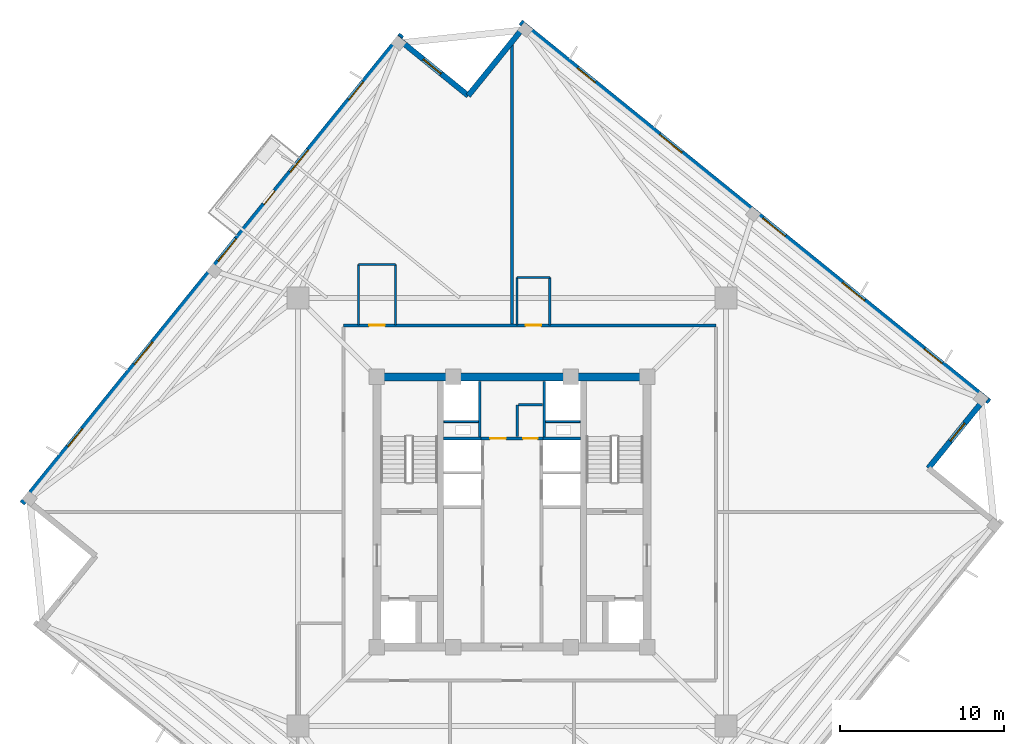
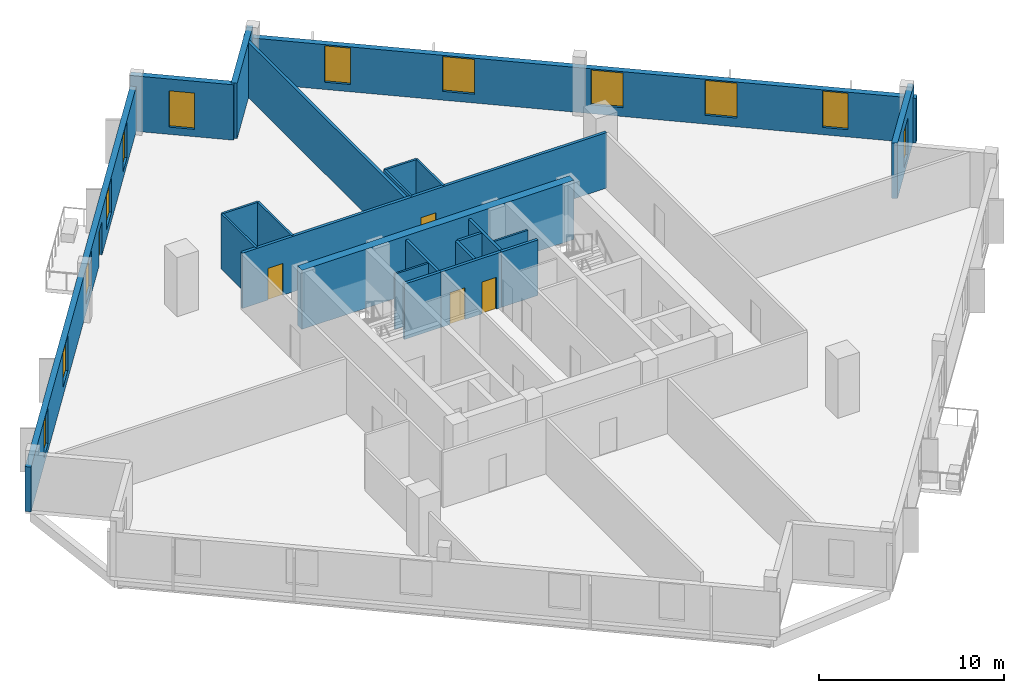
# One storey, part 4 of 9: 23 walls, 12 windows, 5 doors, 17 openings.
"""IFC4 building model written with IfcOpenShell, lengths in metres."""

from ifc_helpers import new_model, si_unit, direction, frame, frame_2d, origin, place, context, subcontext, project, spatial, rectangle, extrude, source, transform, mapped, material, layer, layer_set, type_object, element, fill, save


model = new_model("IFC4")

# Units and contexts
model_context = context("Model", 3, precision=1e-05, world=origin(), true_north=direction((0.0, 1.0)))
body_context = subcontext(model_context, "Body", "Model", "MODEL_VIEW")
ifc_project = project(units=[si_unit("LENGTHUNIT", "METRE"), si_unit("AREAUNIT", "SQUARE_METRE"), si_unit("VOLUMEUNIT", "CUBIC_METRE"), si_unit("PLANEANGLEUNIT", "RADIAN"), si_unit("MASSUNIT", "GRAM", prefix="KILO"), si_unit("THERMODYNAMICTEMPERATUREUNIT", "KELVIN")], contexts=[model_context])

# Site, building, storey
site_placement = place(None, origin())
site = spatial("IfcSite", under=ifc_project, at=site_placement, CompositionType="ELEMENT")
building_placement = place(site_placement, origin())
building = spatial("IfcBuilding", under=site, at=building_placement, Name="Kosmvard Interchange Tower", CompositionType="ELEMENT")
storey_placement = place(building_placement, frame((0.0, 0.0, 248.5)))
storey = spatial("IfcBuildingStorey", under=building, at=storey_placement, Name="L60", CompositionType="ELEMENT", Elevation=248.5)

# Walls
ifc_material_1 = material(Name="Fire-rated gypsum partition system")
ifc_layer_1 = layer(ifc_material_1, 0.159912109375, Name="Fire-rated gypsum partition system")
ifc_layer_set_1 = layer_set([ifc_layer_1], Name="Fire-rated gypsum partition system")
wall_type_1 = type_object("IfcWallType", Name="Core Compartment & Shuttle Lobby Partition 160", PredefinedType="PARTITIONING", material=ifc_layer_set_1)
for number, where, z_axis, x_axis, name in (
    (1, (-1.9599609375, 4.580078125, 0.0), (0.0, 0.0, 1.0), (0.0, 1.0, 0.0), "L60 North Core West Wall"),
    (2, (1.9599609375, 4.580078125, 0.0), (0.0, 0.0, 1.0), (0.0, 1.0, 0.0), "L60 North Core East Wall"),
):
    element("IfcWall", number, at=place(storey_placement, frame(where, z_axis=z_axis, x_axis=x_axis)), inside=storey, type_object=wall_type_1, Name=name, PredefinedType="PARTITIONING", context=body_context, shape_type="SweptSolid", body=[
        extrude(rectangle(XDim=3.39990234375, YDim=0.159912109375, at=frame_2d((1.699951171875, 0.0))), origin(), (0.0, 0.0, 1.0), 3.659912109375),
    ])
ifc_material_2 = material(Name="Concrete blockwork masonry", Category="masonry")
ifc_layer_2 = layer(ifc_material_2, 0.159912109375, Name="Concrete blockwork masonry")
ifc_layer_set_2 = layer_set([ifc_layer_2], Name="Concrete blockwork masonry")
wall_type_2 = type_object("IfcWallType", Name="Core Enclosure Split Wall 160", PredefinedType="PARTITIONING", material=ifc_layer_set_2)
wall_1_placement = place(storey_placement, frame((0.320068359375, 4.60009765625, 0.0), z_axis=(0.0, 0.0, 1.0), x_axis=(0.0, 1.0, 0.0)))
element("IfcWall", 3, at=wall_1_placement, inside=storey, type_object=wall_type_2, Name="L60 Core K3 L-Wall 1", PredefinedType="PARTITIONING", context=body_context, shape_type="SweptSolid", body=[
    extrude(rectangle(XDim=1.949951171875, YDim=0.159912109375, at=frame_2d((0.97509765625, 0.0))), origin(), (0.0, 0.0, 1.0), 3.659912109375),
])
wall_2_placement = place(storey_placement, frame((0.39990234375, 6.550048828125, 0.0), z_axis=(0.0, 0.0, 1.0), x_axis=(1.0, 0.0, 0.0)))
element("IfcWall", 4, at=wall_2_placement, inside=storey, type_object=wall_type_2, Name="L60 Core K3 L-Wall 2", PredefinedType="PARTITIONING", context=body_context, shape_type="SweptSolid", body=[
    extrude(rectangle(XDim=1.460205078125, YDim=0.159912109375, at=frame_2d((0.72998046875, 0.0))), origin(), (0.0, 0.0, 1.0), 3.659912109375),
])

# Wall, openings, doors
ifc_layer_3 = layer(ifc_material_1, 0.179931640625, Name="Fire-rated gypsum partition system")
ifc_layer_set_3 = layer_set([ifc_layer_3], Name="Fire-rated gypsum partition system")
wall_type_3 = type_object("IfcWallType", Name="Corridor & Hotel Compartment Partition 180", PredefinedType="PARTITIONING", material=ifc_layer_set_3)
wall_3_placement = place(storey_placement, frame((-1.8798828125, 4.489990234375, 0.0), z_axis=(0.0, 0.0, 1.0), x_axis=(1.0, 0.0, 0.0)))
wall_3 = element("IfcWall", 5, at=wall_3_placement, inside=storey, type_object=wall_type_3, Name="L60 Lift Lobby North Partition", PredefinedType="PARTITIONING", context=body_context, shape_type="SweptSolid", body=[
    extrude(rectangle(XDim=3.759765625, YDim=0.179931640625, at=frame_2d((1.8798828125, 0.0))), origin(), (0.0, 0.0, 1.0), 3.659912109375),
])
opening_1_placement = place(wall_3_placement, frame((0.550048828125, 0.0, 0.0)))
opening_1 = element("IfcOpeningElement", 6, at=opening_1_placement, cuts=wall_3, Name="Opening L60-KD1", PredefinedType="OPENING", context=body_context, shape_type="SweptSolid", body=[
    extrude(rectangle(XDim=0.949951171875, YDim=2.10009765625, at=frame_2d((0.47509765625, 1.050048828125))), frame((0.0, 0.10009765625, 0.0), z_axis=(0.0, -1.0, 0.0), x_axis=(1.0, 0.0, 0.0)), (0.0, 0.0, 1.0), 0.199951171875),
])
opening_2_placement = place(wall_3_placement, frame((2.56005859375, 0.0, 0.0)))
opening_2 = element("IfcOpeningElement", 7, at=opening_2_placement, cuts=wall_3, Name="Opening L60-KD2", PredefinedType="OPENING", context=body_context, shape_type="SweptSolid", body=[
    extrude(rectangle(XDim=0.8798828125, YDim=2.10009765625, at=frame_2d((0.43994140625, 1.050048828125))), frame((0.0, 0.10009765625, 0.0), z_axis=(0.0, -1.0, 0.0), x_axis=(1.0, 0.0, 0.0)), (0.0, 0.0, 1.0), 0.199951171875),
])
ifc_material_3 = material(Name="Painted fire-rated timber leaf", Category="wood")
door_type_1 = type_object("IfcDoorType", Name="Core Service Fire Door 950x2100 EI30", OperationType="NOTDEFINED", PredefinedType="DOOR", material=ifc_material_3)
shared_shape_1 = source(origin(), body_context, "Body", "SweptSolid", [
    extrude(rectangle(XDim=0.949951171875, YDim=2.10009765625, at=frame_2d((0.47509765625, 1.050048828125))), frame((0.0, 0.02490234375, 0.0), z_axis=(0.0, -1.0, 0.0), x_axis=(1.0, 0.0, 0.0)), (0.0, 0.0, 1.0), 0.050048828125),
])
door_1_placement = place(opening_1_placement, origin())
door_1 = element("IfcDoor", 8, at=door_1_placement, inside=storey, type_object=door_type_1, Name="L60 Core Archive Store Door", OperationType="SINGLE_SWING_LEFT", OverallHeight=2.10009765625, OverallWidth=0.949951171875, PredefinedType="DOOR", context=body_context, shape_type="MappedRepresentation", body=[
    mapped(shared_shape_1, transform((0.0, 0.0, 0.0), scale=1.0)),
])
fill(opening_1, door_1)
door_type_2 = type_object("IfcDoorType", Name="Core Cupboard Fire Door 880x2100 EI30", OperationType="NOTDEFINED", PredefinedType="DOOR", material=ifc_material_3)
shared_shape_2 = source(origin(), body_context, "Body", "SweptSolid", [
    extrude(rectangle(XDim=0.8798828125, YDim=2.10009765625, at=frame_2d((0.43994140625, 1.050048828125))), frame((0.0, 0.02490234375, 0.0), z_axis=(0.0, -1.0, 0.0), x_axis=(1.0, 0.0, 0.0)), (0.0, 0.0, 1.0), 0.050048828125),
])
door_2_placement = place(opening_2_placement, origin())
door_2 = element("IfcDoor", 9, at=door_2_placement, inside=storey, type_object=door_type_2, Name="L60 Core Supplies Cupboard Door", OperationType="SINGLE_SWING_RIGHT", OverallHeight=2.10009765625, OverallWidth=0.8798828125, PredefinedType="DOOR", context=body_context, shape_type="MappedRepresentation", body=[
    mapped(shared_shape_2, transform((0.0, 0.0, 0.0), scale=1.0)),
])
fill(opening_2, door_2)

wall_4_placement = place(storey_placement, frame((-10.300048828125, 11.39990234375, 0.0), z_axis=(0.0, 0.0, 1.0), x_axis=(1.0, 0.0, 0.0)))
wall_4 = element("IfcWall", 10, at=wall_4_placement, inside=storey, type_object=wall_type_3, Name="L60 Corridor Wall CN", PredefinedType="PARTITIONING", context=body_context, shape_type="SweptSolid", body=[
    extrude(rectangle(XDim=22.75, YDim=0.179931640625, at=frame_2d((11.375, 0.0))), origin(), (0.0, 0.0, 1.0), 3.659912109375),
])
opening_3_placement = place(wall_4_placement, frame((11.135986328125, 0.0, 0.0)))
opening_3 = element("IfcOpeningElement", 11, at=opening_3_placement, cuts=wall_4, Name="Opening L60-D01", PredefinedType="OPENING", context=body_context, shape_type="SweptSolid", body=[
    extrude(rectangle(XDim=0.949951171875, YDim=2.10009765625, at=frame_2d((0.47509765625, 1.050048828125))), frame((0.0, 0.10009765625, 0.0), z_axis=(0.0, -1.0, 0.0), x_axis=(1.0, 0.0, 0.0)), (0.0, 0.0, 1.0), 0.199951171875),
])
opening_4_placement = place(wall_4_placement, frame((1.580078125, 0.0, 0.0)))
opening_4 = element("IfcOpeningElement", 12, at=opening_4_placement, cuts=wall_4, Name="Opening L60-D02", PredefinedType="OPENING", context=body_context, shape_type="SweptSolid", body=[
    extrude(rectangle(XDim=0.949951171875, YDim=2.10009765625, at=frame_2d((0.47509765625, 1.050048828125))), frame((0.0, 0.10009765625, 0.0), z_axis=(0.0, -1.0, 0.0), x_axis=(1.0, 0.0, 0.0)), (0.0, 0.0, 1.0), 0.199951171875),
])
ifc_material_4 = material(Name="Laminated moisture-resistant timber", Category="wood")
door_type_3 = type_object("IfcDoorType", Name="Accessible Washroom Door 950x2100", OperationType="NOTDEFINED", PredefinedType="DOOR", material=ifc_material_4)
door_3_placement = place(opening_3_placement, origin())
door_3 = element("IfcDoor", 13, at=door_3_placement, inside=storey, type_object=door_type_3, Name="L60 Accessible Toilet Door", OperationType="SINGLE_SWING_LEFT", OverallHeight=2.10009765625, OverallWidth=0.949951171875, PredefinedType="DOOR", context=body_context, shape_type="MappedRepresentation", body=[
    mapped(shared_shape_1, transform((0.0, 0.0, 0.0), scale=1.0)),
])
fill(opening_3, door_3)
door_4_placement = place(opening_4_placement, origin())
door_4 = element("IfcDoor", 14, at=door_4_placement, inside=storey, type_object=door_type_3, Name="L60 Public Floor Washroom Door", OperationType="SINGLE_SWING_RIGHT", OverallHeight=2.10009765625, OverallWidth=0.949951171875, PredefinedType="DOOR", context=body_context, shape_type="MappedRepresentation", body=[
    mapped(shared_shape_1, transform((0.0, 0.0, 0.0), scale=1.0)),
])
fill(opening_4, door_4)

# Wall
wall_5_placement = place(storey_placement, frame((0.0, 11.4951171875, 0.0), z_axis=(0.0, 0.0, 1.0), x_axis=(0.0, 1.0, 0.0)))
element("IfcWall", 15, at=wall_5_placement, inside=storey, type_object=wall_type_3, Name="L60 Room Partition 01.1", PredefinedType="PARTITIONING", context=body_context, shape_type="SweptSolid", body=[
    extrude(rectangle(XDim=17.0673828125, YDim=0.179931640625, at=frame_2d((8.53369140625, 0.0))), origin(), (0.0, 0.0, 1.0), 3.659912109375),
])

# Wall, opening, window
ifc_material_5 = material(Name="Precast concrete C45/55", Category="concrete")
ifc_layer_4 = layer(ifc_material_5, 0.340087890625, Name="Precast concrete C45/55")
ifc_layer_set_4 = layer_set([ifc_layer_4], Name="Precast concrete C45/55")
wall_type_4 = type_object("IfcWallType", Name="Mid Tower Precast Pier Wall 340 C45/55", PredefinedType="STANDARD", material=ifc_layer_set_4)
wall_6_placement = place(storey_placement, frame((25.428955078125, 2.672607421875, 0.0), z_axis=(0.0, 0.0, 1.0), x_axis=(0.629299794138, 0.777162640055, 0.0)))
wall_6 = element("IfcWall", 16, at=wall_6_placement, inside=storey, type_object=wall_type_4, Name="L60 Precast Facade Wall N-SE2", PredefinedType="STANDARD", context=body_context, shape_type="SweptSolid", body=[
    extrude(rectangle(XDim=5.669921875, YDim=0.340087890625, at=frame_2d((2.8349609375, 0.0))), origin(), (0.0, 0.0, 1.0), 3.659912109375),
])
opening_5_placement = place(wall_6_placement, frame((2.135009765625, 0.0, 0.47998046875)))
opening_5 = element("IfcOpeningElement", 17, at=opening_5_placement, cuts=wall_6, Name="Opening L60-W21", PredefinedType="OPENING", context=body_context, shape_type="SweptSolid", body=[
    extrude(rectangle(XDim=1.39990234375, YDim=2.39990234375, at=frame_2d((0.699951171875, 1.199951171875))), frame((0.0, 0.18017578125, 0.0), z_axis=(0.0, -1.0, 0.0), x_axis=(1.0, 0.0, 0.0)), (0.0, 0.0, 1.0), 0.360107421875),
])
ifc_material_6 = material(Name="Low-E solar-control double glazing", Category="glass")
window_type_1 = type_object("IfcWindowType", Name="Notched Corner Feature Window 1400x2400", PartitioningType="SINGLE_PANEL", PredefinedType="WINDOW", material=ifc_material_6)
shared_shape_3 = source(origin(), body_context, "Body", "SweptSolid", [
    extrude(rectangle(XDim=1.39990234375, YDim=2.39990234375, at=frame_2d((0.699951171875, 1.199951171875))), frame((0.0, 0.030029296875, 0.0), z_axis=(0.0, -1.0, 0.0), x_axis=(1.0, 0.0, 0.0)), (0.0, 0.0, 1.0), 0.06005859375),
])
window_1_placement = place(opening_5_placement, origin())
window_1 = element("IfcWindow", 18, at=window_1_placement, inside=storey, type_object=window_type_1, Name="L60 Corner Notch Window 21", OverallHeight=2.39990234375, OverallWidth=1.39990234375, PartitioningType="SINGLE_PANEL", PredefinedType="WINDOW", context=body_context, shape_type="MappedRepresentation", body=[
    mapped(shared_shape_3, transform((0.0, 0.0, 0.0), scale=1.0)),
])
fill(opening_5, window_1)

# Wall, openings, windows
wall_7_placement = place(storey_placement, frame((29.154296875, 6.73291015625, 0.0), z_axis=(0.0, 0.0, 1.0), x_axis=(-0.77714192302, 0.629325378072, 0.0)))
wall_7 = element("IfcWall", 19, at=wall_7_placement, inside=storey, type_object=wall_type_4, Name="L60 Precast Facade Wall F-E", PredefinedType="STANDARD", context=body_context, shape_type="SweptSolid", body=[
    extrude(rectangle(XDim=36.840087890625, YDim=0.340087890625, at=frame_2d((18.419921875, 0.0))), origin(), (0.0, 0.0, 1.0), 2.9599609375),
])
opening_6_placement = place(wall_7_placement, frame((3.720703125, 0.0, 0.47998046875)))
opening_6 = element("IfcOpeningElement", 20, at=opening_6_placement, cuts=wall_7, Name="Opening L60-W06", PredefinedType="OPENING", context=body_context, shape_type="SweptSolid", body=[
    extrude(rectangle(XDim=1.39990234375, YDim=2.39990234375, at=frame_2d((0.699951171875, 1.199951171875))), frame((0.0, 0.18017578125, 0.0), z_axis=(0.0, -1.0, 0.0), x_axis=(1.0, 0.0, 0.0)), (0.0, 0.0, 1.0), 0.360107421875),
])
opening_7_placement = place(wall_7_placement, frame((9.80859375, 0.0, 0.580078125)))
opening_7 = element("IfcOpeningElement", 21, at=opening_7_placement, cuts=wall_7, Name="Opening L60-W07", PredefinedType="OPENING", context=body_context, shape_type="SweptSolid", body=[
    extrude(rectangle(XDim=1.75, YDim=2.300048828125, at=frame_2d((0.875, 1.14990234375))), frame((0.0, 0.18017578125, 0.0), z_axis=(0.0, -1.0, 0.0), x_axis=(1.0, 0.0, 0.0)), (0.0, 0.0, 1.0), 0.360107421875),
])
opening_8_placement = place(wall_7_placement, frame((16.05810546875, 0.0, 0.580078125)))
opening_8 = element("IfcOpeningElement", 22, at=opening_8_placement, cuts=wall_7, Name="Opening L60-W08", PredefinedType="OPENING", context=body_context, shape_type="SweptSolid", body=[
    extrude(rectangle(XDim=1.75, YDim=2.300048828125, at=frame_2d((0.875, 1.14990234375))), frame((0.0, 0.18017578125, 0.0), z_axis=(0.0, -1.0, 0.0), x_axis=(1.0, 0.0, 0.0)), (0.0, 0.0, 1.0), 0.360107421875),
])
opening_9_placement = place(wall_7_placement, frame((24.17626953125, 0.0, 0.580078125)))
opening_9 = element("IfcOpeningElement", 23, at=opening_9_placement, cuts=wall_7, Name="Opening L60-W09", PredefinedType="OPENING", context=body_context, shape_type="SweptSolid", body=[
    extrude(rectangle(XDim=1.75, YDim=2.300048828125, at=frame_2d((0.875, 1.14990234375))), frame((0.0, 0.18017578125, 0.0), z_axis=(0.0, -1.0, 0.0), x_axis=(1.0, 0.0, 0.0)), (0.0, 0.0, 1.0), 0.360107421875),
])
opening_10_placement = place(wall_7_placement, frame((30.982421875, 0.0, 0.47998046875)))
opening_10 = element("IfcOpeningElement", 24, at=opening_10_placement, cuts=wall_7, Name="Opening L60-W10", PredefinedType="OPENING", context=body_context, shape_type="SweptSolid", body=[
    extrude(rectangle(XDim=1.39990234375, YDim=2.39990234375, at=frame_2d((0.699951171875, 1.199951171875))), frame((0.0, 0.18017578125, 0.0), z_axis=(0.0, -1.0, 0.0), x_axis=(1.0, 0.0, 0.0)), (0.0, 0.0, 1.0), 0.360107421875),
])
window_2_placement = place(opening_6_placement, origin())
window_2 = element("IfcWindow", 25, at=window_2_placement, inside=storey, type_object=window_type_1, Name="L60 Facade Punched Window 06", OverallHeight=2.39990234375, OverallWidth=1.39990234375, PartitioningType="SINGLE_PANEL", PredefinedType="WINDOW", context=body_context, shape_type="MappedRepresentation", body=[
    mapped(shared_shape_3, transform((0.0, 0.0, 0.0), scale=1.0)),
])
fill(opening_6, window_2)
window_3_placement = place(opening_10_placement, origin())
window_3 = element("IfcWindow", 26, at=window_3_placement, inside=storey, type_object=window_type_1, Name="L60 Facade Punched Window 10", OverallHeight=2.39990234375, OverallWidth=1.39990234375, PartitioningType="SINGLE_PANEL", PredefinedType="WINDOW", context=body_context, shape_type="MappedRepresentation", body=[
    mapped(shared_shape_3, transform((0.0, 0.0, 0.0), scale=1.0)),
])
fill(opening_10, window_3)
window_type_2 = type_object("IfcWindowType", Name="Zone 4 Suite Punched Window 1750x2300", PartitioningType="SINGLE_PANEL", PredefinedType="WINDOW", material=ifc_material_6)
shared_shape_4 = source(origin(), body_context, "Body", "SweptSolid", [
    extrude(rectangle(XDim=1.75, YDim=2.300048828125, at=frame_2d((0.875, 1.14990234375))), frame((0.0, 0.030029296875, 0.0), z_axis=(0.0, -1.0, 0.0), x_axis=(1.0, 0.0, 0.0)), (0.0, 0.0, 1.0), 0.06005859375),
])
window_4_placement = place(opening_7_placement, origin())
window_4 = element("IfcWindow", 27, at=window_4_placement, inside=storey, type_object=window_type_2, Name="L60 Facade Punched Window 07", OverallHeight=2.300048828125, OverallWidth=1.75, PartitioningType="SINGLE_PANEL", PredefinedType="WINDOW", context=body_context, shape_type="MappedRepresentation", body=[
    mapped(shared_shape_4, transform((0.0, 0.0, 0.0), scale=1.0)),
])
fill(opening_7, window_4)
window_5_placement = place(opening_8_placement, origin())
window_5 = element("IfcWindow", 28, at=window_5_placement, inside=storey, type_object=window_type_2, Name="L60 Facade Punched Window 08", OverallHeight=2.300048828125, OverallWidth=1.75, PartitioningType="SINGLE_PANEL", PredefinedType="WINDOW", context=body_context, shape_type="MappedRepresentation", body=[
    mapped(shared_shape_4, transform((0.0, 0.0, 0.0), scale=1.0)),
])
fill(opening_8, window_5)
window_6_placement = place(opening_9_placement, origin())
window_6 = element("IfcWindow", 29, at=window_6_placement, inside=storey, type_object=window_type_2, Name="L60 Facade Punched Window 09", OverallHeight=2.300048828125, OverallWidth=1.75, PartitioningType="SINGLE_PANEL", PredefinedType="WINDOW", context=body_context, shape_type="MappedRepresentation", body=[
    mapped(shared_shape_4, transform((0.0, 0.0, 0.0), scale=1.0)),
])
fill(opening_9, window_6)

# Wall
wall_8_placement = place(storey_placement, frame((0.78857421875, 29.703125, 0.0), z_axis=(0.0, 0.0, 1.0), x_axis=(-0.629323365087, -0.77714355312, 0.0)))
element("IfcWall", 30, at=wall_8_placement, inside=storey, type_object=wall_type_4, Name="L60 Precast Facade Wall N-NE1", PredefinedType="STANDARD", context=body_context, shape_type="SweptSolid", body=[
    extrude(rectangle(XDim=5.499755859375, YDim=0.340087890625, at=frame_2d((2.75, 0.0))), origin(), (0.0, 0.0, 1.0), 3.659912109375),
])

# Wall, opening, window
wall_9_placement = place(storey_placement, frame((-2.672607421875, 25.428955078125, 0.0), z_axis=(0.0, 0.0, 1.0), x_axis=(-0.777162640055, 0.629299794138, 0.0)))
wall_9 = element("IfcWall", 31, at=wall_9_placement, inside=storey, type_object=wall_type_4, Name="L60 Precast Facade Wall N-NE2", PredefinedType="STANDARD", context=body_context, shape_type="SweptSolid", body=[
    extrude(rectangle(XDim=5.669921875, YDim=0.340087890625, at=frame_2d((2.8349609375, 0.0))), origin(), (0.0, 0.0, 1.0), 3.659912109375),
])
opening_11_placement = place(wall_9_placement, frame((2.135009765625, 0.0, 0.47998046875)))
opening_11 = element("IfcOpeningElement", 32, at=opening_11_placement, cuts=wall_9, Name="Opening L60-W22", PredefinedType="OPENING", context=body_context, shape_type="SweptSolid", body=[
    extrude(rectangle(XDim=1.39990234375, YDim=2.39990234375, at=frame_2d((0.699951171875, 1.199951171875))), frame((0.0, 0.18017578125, 0.0), z_axis=(0.0, -1.0, 0.0), x_axis=(1.0, 0.0, 0.0)), (0.0, 0.0, 1.0), 0.360107421875),
])
window_7_placement = place(opening_11_placement, origin())
window_7 = element("IfcWindow", 33, at=window_7_placement, inside=storey, type_object=window_type_1, Name="L60 Corner Notch Window 22", OverallHeight=2.39990234375, OverallWidth=1.39990234375, PartitioningType="SINGLE_PANEL", PredefinedType="WINDOW", context=body_context, shape_type="MappedRepresentation", body=[
    mapped(shared_shape_3, transform((0.0, 0.0, 0.0), scale=1.0)),
])
fill(opening_11, window_7)

# Wall, openings, door, windows
wall_10_placement = place(storey_placement, frame((-6.73291015625, 29.154296875, 0.0), z_axis=(0.0, 0.0, 1.0), x_axis=(-0.629325378072, -0.77714192302, 0.0)))
wall_10 = element("IfcWall", 34, at=wall_10_placement, inside=storey, type_object=wall_type_4, Name="L60 Precast Facade Wall F-N", PredefinedType="STANDARD", context=body_context, shape_type="SweptSolid", body=[
    extrude(rectangle(XDim=36.840087890625, YDim=0.340087890625, at=frame_2d((18.419921875, 0.0))), origin(), (0.0, 0.0, 1.0), 2.9599609375),
])
opening_12_placement = place(wall_10_placement, frame((12.294921875, 0.0, 0.0)))
opening_12 = element("IfcOpeningElement", 35, at=opening_12_placement, cuts=wall_10, Name="Opening L60-BDN", PredefinedType="OPENING", context=body_context, shape_type="SweptSolid", body=[
    extrude(rectangle(XDim=1.050048828125, YDim=2.25, at=frame_2d((0.52490234375, 1.125))), frame((0.0, 0.18017578125, 0.0), z_axis=(0.0, -1.0, 0.0), x_axis=(1.0, 0.0, 0.0)), (0.0, 0.0, 1.0), 0.360107421875),
])
opening_13_placement = place(wall_10_placement, frame((3.720703125, 0.0, 0.47998046875)))
opening_13 = element("IfcOpeningElement", 36, at=opening_13_placement, cuts=wall_10, Name="Opening L60-W11", PredefinedType="OPENING", context=body_context, shape_type="SweptSolid", body=[
    extrude(rectangle(XDim=1.39990234375, YDim=2.39990234375, at=frame_2d((0.699951171875, 1.199951171875))), frame((0.0, 0.18017578125, 0.0), z_axis=(0.0, -1.0, 0.0), x_axis=(1.0, 0.0, 0.0)), (0.0, 0.0, 1.0), 0.360107421875),
])
opening_14_placement = place(wall_10_placement, frame((9.05859375, 0.0, 0.580078125)))
opening_14 = element("IfcOpeningElement", 37, at=opening_14_placement, cuts=wall_10, Name="Opening L60-W12", PredefinedType="OPENING", context=body_context, shape_type="SweptSolid", body=[
    extrude(rectangle(XDim=1.75, YDim=2.300048828125, at=frame_2d((0.875, 1.14990234375))), frame((0.0, 0.18017578125, 0.0), z_axis=(0.0, -1.0, 0.0), x_axis=(1.0, 0.0, 0.0)), (0.0, 0.0, 1.0), 0.360107421875),
])
opening_15_placement = place(wall_10_placement, frame((16.05810546875, 0.0, 0.580078125)))
opening_15 = element("IfcOpeningElement", 38, at=opening_15_placement, cuts=wall_10, Name="Opening L60-W13", PredefinedType="OPENING", context=body_context, shape_type="SweptSolid", body=[
    extrude(rectangle(XDim=1.75, YDim=2.300048828125, at=frame_2d((0.875, 1.14990234375))), frame((0.0, 0.18017578125, 0.0), z_axis=(0.0, -1.0, 0.0), x_axis=(1.0, 0.0, 0.0)), (0.0, 0.0, 1.0), 0.360107421875),
])
opening_16_placement = place(wall_10_placement, frame((24.17626953125, 0.0, 0.580078125)))
opening_16 = element("IfcOpeningElement", 39, at=opening_16_placement, cuts=wall_10, Name="Opening L60-W14", PredefinedType="OPENING", context=body_context, shape_type="SweptSolid", body=[
    extrude(rectangle(XDim=1.75, YDim=2.300048828125, at=frame_2d((0.875, 1.14990234375))), frame((0.0, 0.18017578125, 0.0), z_axis=(0.0, -1.0, 0.0), x_axis=(1.0, 0.0, 0.0)), (0.0, 0.0, 1.0), 0.360107421875),
])
opening_17_placement = place(wall_10_placement, frame((30.982421875, 0.0, 0.47998046875)))
opening_17 = element("IfcOpeningElement", 40, at=opening_17_placement, cuts=wall_10, Name="Opening L60-W15", PredefinedType="OPENING", context=body_context, shape_type="SweptSolid", body=[
    extrude(rectangle(XDim=1.39990234375, YDim=2.39990234375, at=frame_2d((0.699951171875, 1.199951171875))), frame((0.0, 0.18017578125, 0.0), z_axis=(0.0, -1.0, 0.0), x_axis=(1.0, 0.0, 0.0)), (0.0, 0.0, 1.0), 0.360107421875),
])
ifc_material_7 = material(Name="Anodised aluminium and safety glass", Category="aluminium")
door_type_4 = type_object("IfcDoorType", Name="Tree-Balcony Glazed Door 1050x2250", OperationType="NOTDEFINED", PredefinedType="DOOR", material=ifc_material_7)
shared_shape_5 = source(origin(), body_context, "Body", "SweptSolid", [
    extrude(rectangle(XDim=1.050048828125, YDim=2.25, at=frame_2d((0.52490234375, 1.125))), frame((0.0, 0.02490234375, 0.0), z_axis=(0.0, -1.0, 0.0), x_axis=(1.0, 0.0, 0.0)), (0.0, 0.0, 1.0), 0.050048828125),
])
door_5_placement = place(opening_12_placement, origin())
door_5 = element("IfcDoor", 41, at=door_5_placement, inside=storey, type_object=door_type_4, Name="L60 Tree-Balcony Door BAL-L60-N", OperationType="SINGLE_SWING_LEFT", OverallHeight=2.25, OverallWidth=1.050048828125, PredefinedType="DOOR", context=body_context, shape_type="MappedRepresentation", body=[
    mapped(shared_shape_5, transform((0.0, 0.0, 0.0), scale=1.0)),
])
fill(opening_12, door_5)
window_8_placement = place(opening_13_placement, origin())
window_8 = element("IfcWindow", 42, at=window_8_placement, inside=storey, type_object=window_type_1, Name="L60 Facade Punched Window 11", OverallHeight=2.39990234375, OverallWidth=1.39990234375, PartitioningType="SINGLE_PANEL", PredefinedType="WINDOW", context=body_context, shape_type="MappedRepresentation", body=[
    mapped(shared_shape_3, transform((0.0, 0.0, 0.0), scale=1.0)),
])
fill(opening_13, window_8)
window_9_placement = place(opening_17_placement, origin())
window_9 = element("IfcWindow", 43, at=window_9_placement, inside=storey, type_object=window_type_1, Name="L60 Facade Punched Window 15", OverallHeight=2.39990234375, OverallWidth=1.39990234375, PartitioningType="SINGLE_PANEL", PredefinedType="WINDOW", context=body_context, shape_type="MappedRepresentation", body=[
    mapped(shared_shape_3, transform((0.0, 0.0, 0.0), scale=1.0)),
])
fill(opening_17, window_9)
window_10_placement = place(opening_14_placement, origin())
window_10 = element("IfcWindow", 44, at=window_10_placement, inside=storey, type_object=window_type_2, Name="L60 Facade Punched Window 12", OverallHeight=2.300048828125, OverallWidth=1.75, PartitioningType="SINGLE_PANEL", PredefinedType="WINDOW", context=body_context, shape_type="MappedRepresentation", body=[
    mapped(shared_shape_4, transform((0.0, 0.0, 0.0), scale=1.0)),
])
fill(opening_14, window_10)
window_11_placement = place(opening_15_placement, origin())
window_11 = element("IfcWindow", 45, at=window_11_placement, inside=storey, type_object=window_type_2, Name="L60 Facade Punched Window 13", OverallHeight=2.300048828125, OverallWidth=1.75, PartitioningType="SINGLE_PANEL", PredefinedType="WINDOW", context=body_context, shape_type="MappedRepresentation", body=[
    mapped(shared_shape_4, transform((0.0, 0.0, 0.0), scale=1.0)),
])
fill(opening_15, window_11)
window_12_placement = place(opening_16_placement, origin())
window_12 = element("IfcWindow", 46, at=window_12_placement, inside=storey, type_object=window_type_2, Name="L60 Facade Punched Window 14", OverallHeight=2.300048828125, OverallWidth=1.75, PartitioningType="SINGLE_PANEL", PredefinedType="WINDOW", context=body_context, shape_type="MappedRepresentation", body=[
    mapped(shared_shape_4, transform((0.0, 0.0, 0.0), scale=1.0)),
])
fill(opening_16, window_12)

# Walls
ifc_layer_5 = layer(ifc_material_2, 0.179931640625, Name="Concrete blockwork masonry")
ifc_layer_set_5 = layer_set([ifc_layer_5], Name="Concrete blockwork masonry")
wall_type_5 = type_object("IfcWallType", Name="Riser & Lift Bank Divider Wall 180", PredefinedType="PARTITIONING", material=ifc_layer_set_5)
for number, where, z_axis, x_axis, name in (
    (47, (-4.169921875, 4.489990234375, 0.0), (0.0, 0.0, 1.0), (1.0, 0.0, 0.0), "L60 West Bank Divider BD3"),
    (48, (1.889892578125, 4.489990234375, 0.0), (0.0, 0.0, 1.0), (1.0, 0.0, 0.0), "L60 East Bank Divider BD3"),
):
    element("IfcWall", number, at=place(storey_placement, frame(where, z_axis=z_axis, x_axis=x_axis)), inside=storey, type_object=wall_type_5, Name=name, PredefinedType="PARTITIONING", context=body_context, shape_type="SweptSolid", body=[
        extrude(rectangle(XDim=2.280029296875, YDim=0.179931640625, at=frame_2d((1.14013671875, 0.0))), origin(), (0.0, 0.0, 1.0), 3.659912109375),
    ])
ifc_material_8 = material(Name="Fire-rated gypsum shaftwall system")
ifc_layer_6 = layer(ifc_material_8, 0.1201171875, Name="Fire-rated gypsum shaftwall system")
ifc_layer_set_6 = layer_set([ifc_layer_6], Name="Fire-rated gypsum shaftwall system")
wall_type_6 = type_object("IfcWallType", Name="Shaft & Riser Fire Partition 120 EI60", PredefinedType="PARTITIONING", material=ifc_layer_set_6)
for number, where, z_axis, x_axis, name in (
    (49, (-4.159912109375, 5.52001953125, 0.0), (0.0, 0.0, 1.0), (1.0, 0.0, 0.0), "L60 Riser Shaft Divider W"),
    (50, (2.06005859375, 5.52001953125, 0.0), (0.0, 0.0, 1.0), (1.0, 0.0, 0.0), "L60 Riser Shaft Divider E"),
):
    element("IfcWall", number, at=place(storey_placement, frame(where, z_axis=z_axis, x_axis=x_axis)), inside=storey, type_object=wall_type_6, Name=name, PredefinedType="PARTITIONING", context=body_context, shape_type="SweptSolid", body=[
        extrude(rectangle(XDim=2.099853515625, YDim=0.1201171875, at=frame_2d((1.0498046875, 0.0))), origin(), (0.0, 0.0, 1.0), 3.659912109375),
    ])
ifc_material_9 = material(Name="Concrete C60/75", Category="concrete")
ifc_layer_7 = layer(ifc_material_9, 0.5, Name="Concrete C60/75")
ifc_layer_set_7 = layer_set([ifc_layer_7], Name="Concrete C60/75")
wall_type_7 = type_object("IfcWallType", Name="Upper Core Shear Wall 500 C60/75", PredefinedType="SHEAR", material=ifc_layer_set_7)
wall_11_placement = place(storey_placement, frame((-8.5, 8.25, 0.0), z_axis=(0.0, 0.0, 1.0), x_axis=(1.0, 0.0, 0.0)))
element("IfcWall", 51, at=wall_11_placement, inside=storey, type_object=wall_type_7, Name="L60 Core Shear Wall CW-N", PredefinedType="SHEAR", context=body_context, shape_type="SweptSolid", body=[
    extrude(rectangle(XDim=17.0, YDim=0.5, at=frame_2d((8.5, 0.0))), origin(), (0.0, 0.0, 1.0), 3.89990234375),
])
ifc_material_10 = material(Name="Moisture-resistant gypsum partition")
ifc_layer_8 = layer(ifc_material_10, 0.135009765625, Name="Moisture-resistant gypsum partition")
ifc_layer_set_8 = layer_set([ifc_layer_8], Name="Moisture-resistant gypsum partition")
wall_type_8 = type_object("IfcWallType", Name="Wet Room Moisture-Resistant Partition 135", PredefinedType="PARTITIONING", material=ifc_layer_set_8)
wall_12_placement = place(storey_placement, frame((2.31103515625, 11.419921875, 0.0), z_axis=(0.0, 0.0, 1.0), x_axis=(0.0, 1.0, 0.0)))
element("IfcWall", 52, at=wall_12_placement, inside=storey, type_object=wall_type_8, Name="L60 Washroom Partition AWC1-E", PredefinedType="PARTITIONING", context=body_context, shape_type="SweptSolid", body=[
    extrude(rectangle(XDim=2.900146484375, YDim=0.135009765625, at=frame_2d((1.4501953125, 0.0))), origin(), (0.0, 0.0, 1.0), 3.659912109375),
])
wall_13_placement = place(storey_placement, frame((0.31103515625, 14.320068359375, 0.0), z_axis=(0.0, 0.0, 1.0), x_axis=(1.0, 0.0, 0.0)))
element("IfcWall", 53, at=wall_13_placement, inside=storey, type_object=wall_type_8, Name="L60 Washroom Partition AWC1-N", PredefinedType="PARTITIONING", context=body_context, shape_type="SweptSolid", body=[
    extrude(rectangle(XDim=2.0, YDim=0.135009765625, at=frame_2d((1.0, 0.0))), origin(), (0.0, 0.0, 1.0), 3.659912109375),
])
wall_14_placement = place(storey_placement, frame((0.31103515625, 11.419921875, 0.0), z_axis=(0.0, 0.0, 1.0), x_axis=(0.0, 1.0, 0.0)))
element("IfcWall", 54, at=wall_14_placement, inside=storey, type_object=wall_type_8, Name="L60 Washroom Partition AWC1-W", PredefinedType="PARTITIONING", context=body_context, shape_type="SweptSolid", body=[
    extrude(rectangle(XDim=2.900146484375, YDim=0.135009765625, at=frame_2d((1.4501953125, 0.0))), origin(), (0.0, 0.0, 1.0), 3.659912109375),
])
wall_15_placement = place(storey_placement, frame((-7.1201171875, 11.419921875, 0.0), z_axis=(0.0, 0.0, 1.0), x_axis=(0.0, 1.0, 0.0)))
element("IfcWall", 55, at=wall_15_placement, inside=storey, type_object=wall_type_8, Name="L60 Washroom Partition WC1-E", PredefinedType="PARTITIONING", context=body_context, shape_type="SweptSolid", body=[
    extrude(rectangle(XDim=3.7001953125, YDim=0.135009765625, at=frame_2d((1.85009765625, 0.0))), origin(), (0.0, 0.0, 1.0), 3.659912109375),
])
wall_16_placement = place(storey_placement, frame((-9.3701171875, 15.1201171875, 0.0), z_axis=(0.0, 0.0, 1.0), x_axis=(1.0, 0.0, 0.0)))
element("IfcWall", 56, at=wall_16_placement, inside=storey, type_object=wall_type_8, Name="L60 Washroom Partition WC1-N", PredefinedType="PARTITIONING", context=body_context, shape_type="SweptSolid", body=[
    extrude(rectangle(XDim=2.25, YDim=0.135009765625, at=frame_2d((1.125, 0.0))), origin(), (0.0, 0.0, 1.0), 3.659912109375),
])
wall_17_placement = place(storey_placement, frame((-9.3701171875, 11.419921875, 0.0), z_axis=(0.0, 0.0, 1.0), x_axis=(0.0, 1.0, 0.0)))
element("IfcWall", 57, at=wall_17_placement, inside=storey, type_object=wall_type_8, Name="L60 Washroom Partition WC1-W", PredefinedType="PARTITIONING", context=body_context, shape_type="SweptSolid", body=[
    extrude(rectangle(XDim=3.7001953125, YDim=0.135009765625, at=frame_2d((1.85009765625, 0.0))), origin(), (0.0, 0.0, 1.0), 3.659912109375),
])

save(model, "model.ifc")
